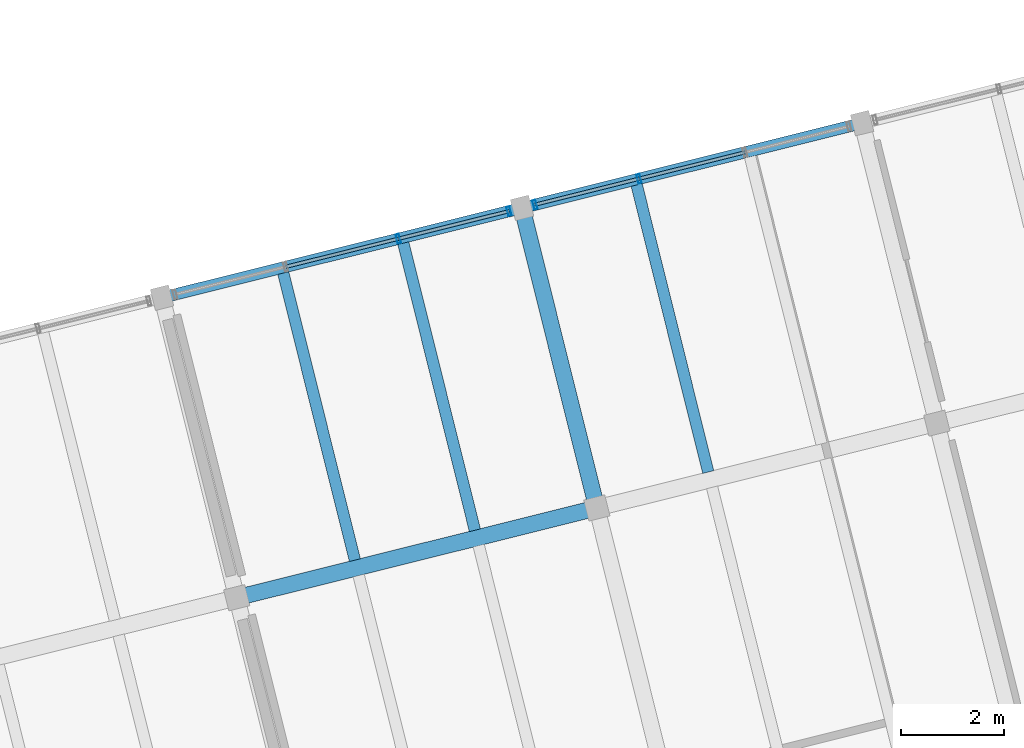
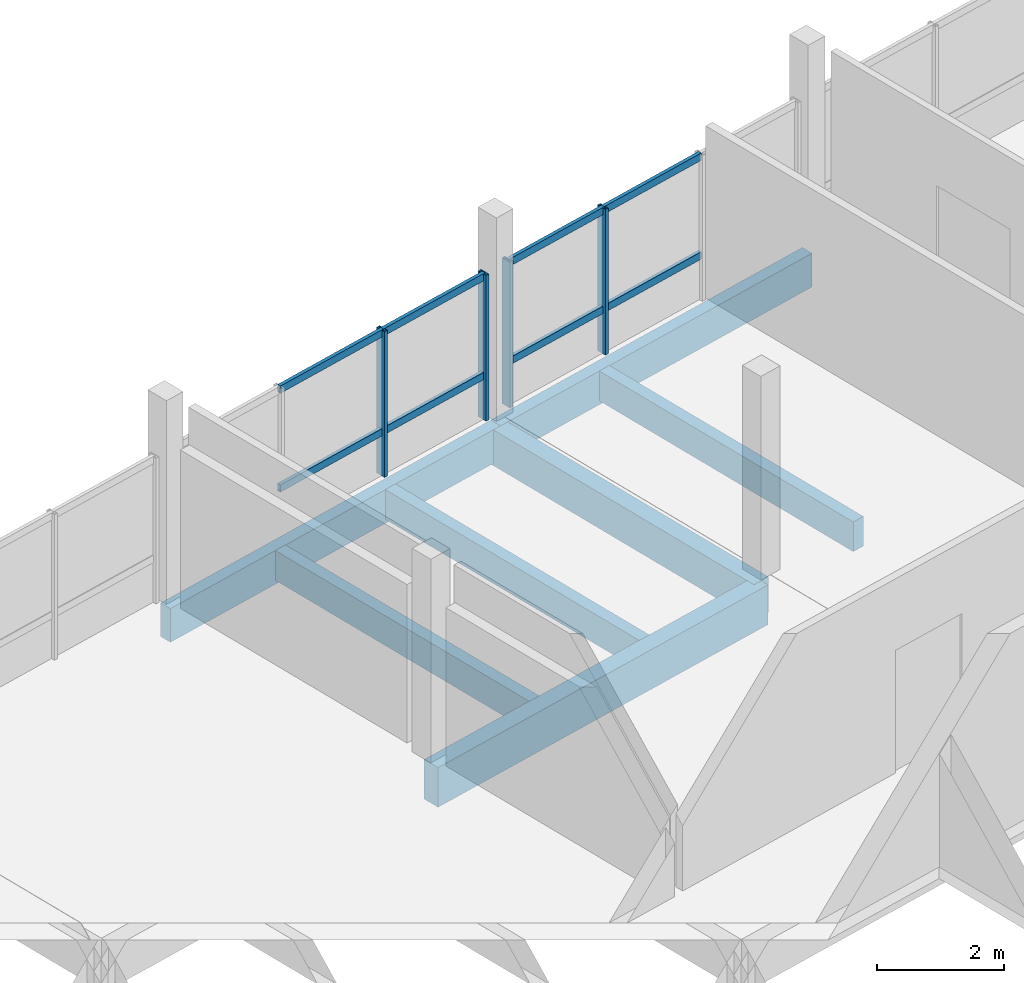
# One storey, part 19 of 28: 12 members, 7 beams, 2 elements without a shape of their own.
"""IFC4 building model written with IfcOpenShell, lengths in metres."""

from ifc_helpers import new_model, si_unit, direction, frame, origin, origin_2d, place, context, subcontext, project, spatial, rectangle, hollow_rectangle, extrude, material, layer, layer_set, material_profile, profile_set, type_object, element, aggregate, save


model = new_model("IFC4")

# Units and contexts
model_context = context("Model", 3, precision=1e-05, world=origin(), true_north=direction((0.0, 1.0)))
body_context = subcontext(model_context, "Body", "Model", "MODEL_VIEW")
ifc_project = project(units=[si_unit("LENGTHUNIT", "METRE"), si_unit("AREAUNIT", "SQUARE_METRE"), si_unit("VOLUMEUNIT", "CUBIC_METRE"), si_unit("PLANEANGLEUNIT", "RADIAN"), si_unit("MASSUNIT", "GRAM", prefix="KILO")], contexts=[model_context])

# Site, building, storey
site_placement = place(None, origin())
site = spatial("IfcSite", under=ifc_project, at=site_placement, CompositionType="ELEMENT")
building_placement = place(site_placement, origin())
building = spatial("IfcBuilding", under=site, at=building_placement, Name="Meriwether Solvik Hall", CompositionType="ELEMENT")
storey_placement = place(building_placement, frame((0.0, 0.0, 30.0)))
storey = spatial("IfcBuildingStorey", under=building, at=storey_placement, Name="L07", CompositionType="ELEMENT", Elevation=30.0)

# Beams
ifc_material_1 = material(Name="Glulam Douglas-Fir 24F-V8 GL28h", Category="wood")
ifc_material_profile_1 = material_profile(ifc_material_1, rectangle(XDim=0.221923828125, YDim=0.64501953125, at=origin_2d()), Name="GLB-222X645")
ifc_profile_set_1 = profile_set([ifc_material_profile_1], Name="Glulam Douglas-Fir 24F-V8 GL28h")
beam_type_1 = type_object("IfcBeamType", Name="BM-GL-222X645", PredefinedType="SPANDREL", material=ifc_profile_set_1)
beam_1_placement = place(storey_placement, frame((81.72119140625, 79.512451171875, -0.54248046875), z_axis=(0.970299871507, 0.241905269381, 0.0), x_axis=(-0.241905269381, 0.970299871507, 0.0)))
element("IfcBeam", 1, at=beam_1_placement, inside=storey, type_object=beam_type_1, Name="Tower Girder TF:T4-T5 (L07)", PredefinedType="SPANDREL", context=body_context, shape_type="SweptSolid", body=[
    extrude(rectangle(XDim=0.221923828125, YDim=0.64501953125, at=origin_2d()), origin(), (0.0, 0.0, 1.0), 7.199951171875),
])
beam_2_placement = place(storey_placement, frame((88.707275390625, 81.254150390625, -0.54248046875), z_axis=(0.970298579828, 0.24191045034, 0.0), x_axis=(-0.24191045034, 0.970298579828, 0.0)))
element("IfcBeam", 2, at=beam_2_placement, inside=storey, type_object=beam_type_1, Name="Tower Girder TF:T5-T6 (L07)", PredefinedType="SPANDREL", context=body_context, shape_type="SweptSolid", body=[
    extrude(rectangle(XDim=0.221923828125, YDim=0.64501953125, at=origin_2d()), origin(), (0.0, 0.0, 1.0), 6.800048828125),
])
ifc_material_2 = material(Name="Glulam Douglas-Fir 24F-V8 GL28h", Category="wood")
ifc_material_profile_2 = material_profile(ifc_material_2, rectangle(XDim=0.31494140625, YDim=0.68505859375, at=origin_2d()), Name="GLB-315X685")
ifc_profile_set_2 = profile_set([ifc_material_profile_2], Name="Glulam Douglas-Fir 24F-V8 GL28h")
beam_type_2 = type_object("IfcBeamType", Name="BM-GL-315X685", PredefinedType="BEAM", material=ifc_profile_set_2)
beam_3_placement = place(storey_placement, frame((90.158935546875, 75.432373046875, -0.5625), z_axis=(-0.241941986192, 0.970290716908, 0.0), x_axis=(-0.970290716908, -0.241941986192, 0.0)))
element("IfcBeam", 3, at=beam_3_placement, inside=storey, type_object=beam_type_2, Name="Tower Girder T5:TE-TF (L07)", PredefinedType="BEAM", context=body_context, shape_type="SweptSolid", body=[
    extrude(rectangle(XDim=0.31494140625, YDim=0.68505859375, at=origin_2d()), origin(), (0.0, 0.0, 1.0), 6.0),
])
ifc_material_3 = material(Name="Glulam Douglas-Fir 24F-V8 GL28h", Category="wood")
ifc_material_profile_3 = material_profile(ifc_material_3, rectangle(XDim=0.31494140625, YDim=0.760009765625, at=origin_2d()), Name="GLB-315X760")
ifc_profile_set_3 = profile_set([ifc_material_profile_3], Name="Glulam Douglas-Fir 24F-V8 GL28h")
beam_type_3 = type_object("IfcBeamType", Name="BM-GL-315X760", PredefinedType="BEAM", material=ifc_profile_set_3)
beam_4_placement = place(storey_placement, frame((83.172607421875, 73.690673828125, -0.60009765625), z_axis=(0.970301855688, 0.241897310542, 0.0), x_axis=(-0.241897310542, 0.970301855688, 0.0)))
element("IfcBeam", 4, at=beam_4_placement, inside=storey, type_object=beam_type_3, Name="Tower Girder TE:T4-T5 (L07)", PredefinedType="BEAM", context=body_context, shape_type="SweptSolid", body=[
    extrude(rectangle(XDim=0.31494140625, YDim=0.760009765625, at=origin_2d()), origin(), (0.0, 0.0, 1.0), 7.2001953125),
])

# Curtain wall, members
ifc_material_4 = material(Name="Thermally Broken Anodised Aluminium 6063-T6 and Low-E Glass", Category="aluminium")
ifc_layer_1 = layer(ifc_material_4, 0.179931640625)
ifc_layer_set_1 = layer_set([ifc_layer_1], Name="Thermally Broken Anodised Aluminium 6063-T6 and Low-E Glass")
curtain_wall_type_1 = type_object("IfcCurtainWallType", Name="CW-UNIT-E", PredefinedType="USERDEFINED", material=ifc_layer_set_1)
curtain_wall_1_placement = place(storey_placement, origin())
curtain_wall_1 = element("IfcCurtainWall", 5, at=curtain_wall_1_placement, inside=storey, type_object=curtain_wall_type_1, Name="Curtain Wall E4_B3 (L07)", ObjectType="UNITISED CURTAIN WALL", PredefinedType="USERDEFINED")
ifc_material_5 = material(Name="Anodised Aluminium 6063-T6", Category="aluminium")
ifc_material_profile_4 = material_profile(ifc_material_5, hollow_rectangle(XDim=0.06494140625, YDim=0.179931640625, WallThickness=0.00439453125, at=origin_2d()), Name="CWM-65X180")
ifc_profile_set_4 = profile_set([ifc_material_profile_4], Name="Anodised Aluminium 6063-T6")
member_type_1 = type_object("IfcMemberType", Name="CW-MUL-65X180", PredefinedType="MULLION", material=ifc_profile_set_4)
member_1_placement = place(storey_placement, frame((86.306884765625, 80.65576171875, 0.0), z_axis=(0.0, 0.0, 1.0), x_axis=(0.970295738259, 0.241921847539, 0.0)))
member_1 = element("IfcMember", 6, at=member_1_placement, type_object=member_type_1, Name="Curtain Wall Mullion 3", PredefinedType="MULLION", context=body_context, shape_type="SweptSolid", body=[
    extrude(hollow_rectangle(XDim=0.06494140625, YDim=0.179931640625, WallThickness=0.00439453125, at=origin_2d()), origin(), (0.0, 0.0, 1.0), 2.7900390625),
])
member_2_placement = place(storey_placement, frame((88.455078125, 81.191162109375, 0.0), z_axis=(0.0, 0.0, 1.0), x_axis=(0.970295738259, 0.241921847539, 0.0)))
member_2 = element("IfcMember", 7, at=member_2_placement, type_object=member_type_1, Name="Curtain Wall Mullion 4", PredefinedType="MULLION", context=body_context, shape_type="SweptSolid", body=[
    extrude(hollow_rectangle(XDim=0.06494140625, YDim=0.179931640625, WallThickness=0.00439453125, at=origin_2d()), origin(), (0.0, 0.0, 1.0), 2.7900390625),
])

ifc_material_6 = material(Name="Thermally Broken Anodised Aluminium 6063-T6 and Low-E Glass", Category="aluminium")
ifc_layer_2 = layer(ifc_material_6, 0.179931640625)
ifc_layer_set_2 = layer_set([ifc_layer_2], Name="Thermally Broken Anodised Aluminium 6063-T6 and Low-E Glass")
curtain_wall_type_2 = type_object("IfcCurtainWallType", Name="CW-UNIT-F", PredefinedType="USERDEFINED", material=ifc_layer_set_2)
curtain_wall_2_placement = place(storey_placement, origin())
curtain_wall_2 = element("IfcCurtainWall", 8, at=curtain_wall_2_placement, inside=storey, type_object=curtain_wall_type_2, Name="Curtain Wall E4_B4 (L07)", ObjectType="UNITISED CURTAIN WALL", PredefinedType="USERDEFINED")
member_3_placement = place(storey_placement, frame((88.95947265625, 81.317138671875, 0.0), z_axis=(0.0, 0.0, 1.0), x_axis=(0.970295750618, 0.24192179797, 0.0)))
member_3 = element("IfcMember", 9, at=member_3_placement, type_object=member_type_1, Name="Curtain Wall Mullion 1", PredefinedType="MULLION", context=body_context, shape_type="SweptSolid", body=[
    extrude(hollow_rectangle(XDim=0.06494140625, YDim=0.179931640625, WallThickness=0.00439453125, at=origin_2d()), origin(), (0.0, 0.0, 1.0), 2.7900390625),
])
member_4_placement = place(storey_placement, frame((90.978515625, 81.8203125, 0.0), z_axis=(0.0, 0.0, 1.0), x_axis=(0.970295750618, 0.24192179797, 0.0)))
member_4 = element("IfcMember", 10, at=member_4_placement, type_object=member_type_1, Name="Curtain Wall Mullion 2", PredefinedType="MULLION", context=body_context, shape_type="SweptSolid", body=[
    extrude(hollow_rectangle(XDim=0.06494140625, YDim=0.179931640625, WallThickness=0.00439453125, at=origin_2d()), origin(), (0.0, 0.0, 1.0), 2.7900390625),
])

# Member
ifc_material_7 = material(Name="Anodised Aluminium 6063-T6", Category="aluminium")
ifc_material_profile_5 = material_profile(ifc_material_7, hollow_rectangle(XDim=0.06494140625, YDim=0.139892578125, WallThickness=0.00439453125, at=origin_2d()), Name="CWT-65X140")
ifc_profile_set_5 = profile_set([ifc_material_profile_5], Name="Anodised Aluminium 6063-T6")
member_type_2 = type_object("IfcMemberType", Name="CW-TRN-65X140", PredefinedType="USERDEFINED", material=ifc_profile_set_5)
member_5_placement = place(storey_placement, frame((84.12158203125, 80.11083984375, 0.8369140625), z_axis=(0.97028898169, 0.241948945049, 0.0), x_axis=(-0.241948945049, 0.97028898169, 0.0)))
member_5 = element("IfcMember", 11, at=member_5_placement, type_object=member_type_2, Name="Curtain Wall Transom 2-sill", ObjectType="TRANSOM", PredefinedType="USERDEFINED", context=body_context, shape_type="SweptSolid", body=[
    extrude(hollow_rectangle(XDim=0.06494140625, YDim=0.139892578125, WallThickness=0.00439453125, at=origin_2d()), origin(), (0.0, 0.0, 1.0), 2.252197265625),
])

member_6_placement = place(storey_placement, frame((84.12158203125, 80.11083984375, 2.72998046875), z_axis=(0.97028898169, 0.241948945049, 0.0), x_axis=(-0.241948945049, 0.97028898169, 0.0)))
member_6 = element("IfcMember", 12, at=member_6_placement, type_object=member_type_2, Name="Curtain Wall Transom 2-head", ObjectType="TRANSOM", PredefinedType="USERDEFINED", context=body_context, shape_type="SweptSolid", body=[
    extrude(hollow_rectangle(XDim=0.06494140625, YDim=0.139892578125, WallThickness=0.00439453125, at=origin_2d()), origin(), (0.0, 0.0, 1.0), 2.252197265625),
])

member_7_placement = place(storey_placement, frame((86.306884765625, 80.65576171875, 0.8369140625), z_axis=(0.97031739122, 0.241834985674, 0.0), x_axis=(-0.241834985674, 0.97031739122, 0.0)))
member_7 = element("IfcMember", 13, at=member_7_placement, type_object=member_type_2, Name="Curtain Wall Transom 3-sill", ObjectType="TRANSOM", PredefinedType="USERDEFINED", context=body_context, shape_type="SweptSolid", body=[
    extrude(hollow_rectangle(XDim=0.06494140625, YDim=0.139892578125, WallThickness=0.00439453125, at=origin_2d()), origin(), (0.0, 0.0, 1.0), 2.2138671875),
])

member_8_placement = place(storey_placement, frame((86.306884765625, 80.65576171875, 2.72998046875), z_axis=(0.97031739122, 0.241834985674, 0.0), x_axis=(-0.241834985674, 0.97031739122, 0.0)))
member_8 = element("IfcMember", 14, at=member_8_placement, type_object=member_type_2, Name="Curtain Wall Transom 3-head", ObjectType="TRANSOM", PredefinedType="USERDEFINED", context=body_context, shape_type="SweptSolid", body=[
    extrude(hollow_rectangle(XDim=0.06494140625, YDim=0.139892578125, WallThickness=0.00439453125, at=origin_2d()), origin(), (0.0, 0.0, 1.0), 2.2138671875),
])

aggregate(curtain_wall_1, [member_1, member_2, member_5, member_6, member_7, member_8])

member_9_placement = place(storey_placement, frame((88.95947265625, 81.317138671875, 0.8369140625), z_axis=(0.970321680969, 0.241817773214, 0.0), x_axis=(-0.241817773214, 0.970321680969, 0.0)))
member_9 = element("IfcMember", 15, at=member_9_placement, type_object=member_type_2, Name="Curtain Wall Transom 1-sill", ObjectType="TRANSOM", PredefinedType="USERDEFINED", context=body_context, shape_type="SweptSolid", body=[
    extrude(hollow_rectangle(XDim=0.06494140625, YDim=0.139892578125, WallThickness=0.00439453125, at=origin_2d()), origin(), (0.0, 0.0, 1.0), 2.080810546875),
])

member_10_placement = place(storey_placement, frame((88.95947265625, 81.317138671875, 2.72998046875), z_axis=(0.970321680969, 0.241817773214, 0.0), x_axis=(-0.241817773214, 0.970321680969, 0.0)))
member_10 = element("IfcMember", 16, at=member_10_placement, type_object=member_type_2, Name="Curtain Wall Transom 1-head", ObjectType="TRANSOM", PredefinedType="USERDEFINED", context=body_context, shape_type="SweptSolid", body=[
    extrude(hollow_rectangle(XDim=0.06494140625, YDim=0.139892578125, WallThickness=0.00439453125, at=origin_2d()), origin(), (0.0, 0.0, 1.0), 2.080810546875),
])

member_11_placement = place(storey_placement, frame((90.978515625, 81.8203125, 0.8369140625), z_axis=(0.970277919064, 0.24199330523, 0.0), x_axis=(-0.24199330523, 0.970277919064, 0.0)))
member_11 = element("IfcMember", 17, at=member_11_placement, type_object=member_type_2, Name="Curtain Wall Transom 2-sill", ObjectType="TRANSOM", PredefinedType="USERDEFINED", context=body_context, shape_type="SweptSolid", body=[
    extrude(hollow_rectangle(XDim=0.06494140625, YDim=0.139892578125, WallThickness=0.00439453125, at=origin_2d()), origin(), (0.0, 0.0, 1.0), 2.11865234375),
])

member_12_placement = place(storey_placement, frame((90.978515625, 81.8203125, 2.72998046875), z_axis=(0.970277919064, 0.24199330523, 0.0), x_axis=(-0.24199330523, 0.970277919064, 0.0)))
member_12 = element("IfcMember", 18, at=member_12_placement, type_object=member_type_2, Name="Curtain Wall Transom 2-head", ObjectType="TRANSOM", PredefinedType="USERDEFINED", context=body_context, shape_type="SweptSolid", body=[
    extrude(hollow_rectangle(XDim=0.06494140625, YDim=0.139892578125, WallThickness=0.00439453125, at=origin_2d()), origin(), (0.0, 0.0, 1.0), 2.11865234375),
])

aggregate(curtain_wall_2, [member_3, member_4, member_9, member_10, member_11, member_12])

# Beams
ifc_material_8 = material(Name="Glulam Douglas-Fir 24F-V8 GL28h", Category="wood")
ifc_material_profile_6 = material_profile(ifc_material_8, rectangle(XDim=0.221923828125, YDim=0.570068359375, at=origin_2d()), Name="GLJ-222X570")
ifc_profile_set_6 = profile_set([ifc_material_profile_6], Name="Glulam Douglas-Fir 24F-V8 GL28h")
beam_type_4 = type_object("IfcBeamType", Name="JST-GL-222X570", PredefinedType="JOIST", material=ifc_profile_set_6)
for number, where, z_axis, x_axis, name in (
    (19, (85.464599609375, 74.419189453125, -0.5048828125), (-0.241955269204, 0.970287404692, 0.0), (-0.970287404692, -0.241955269204, 0.0), "Glulam Floor Joist T4/TE-J1 (L07)"),
    (20, (87.793212890625, 74.999755859375, -0.5048828125), (-0.241905253991, 0.970299875343, 0.0), (-0.970299875343, -0.241905253991, 0.0), "Glulam Floor Joist T4/TE-J2 (L07)"),
    (21, (92.3212890625, 76.128662109375, -0.5048828125), (-0.241905253991, 0.970299875343, 0.0), (-0.970299875343, -0.241905253991, 0.0), "Glulam Floor Joist T5/TE-J1 (L07)"),
):
    element("IfcBeam", number, at=place(storey_placement, frame(where, z_axis=z_axis, x_axis=x_axis)), inside=storey, type_object=beam_type_4, Name=name, PredefinedType="JOIST", context=body_context, shape_type="SweptSolid", body=[
        extrude(rectangle(XDim=0.221923828125, YDim=0.570068359375, at=origin_2d()), origin(), (0.0, 0.0, 1.0), 5.741455078125),
    ])

save(model, "model.ifc")
